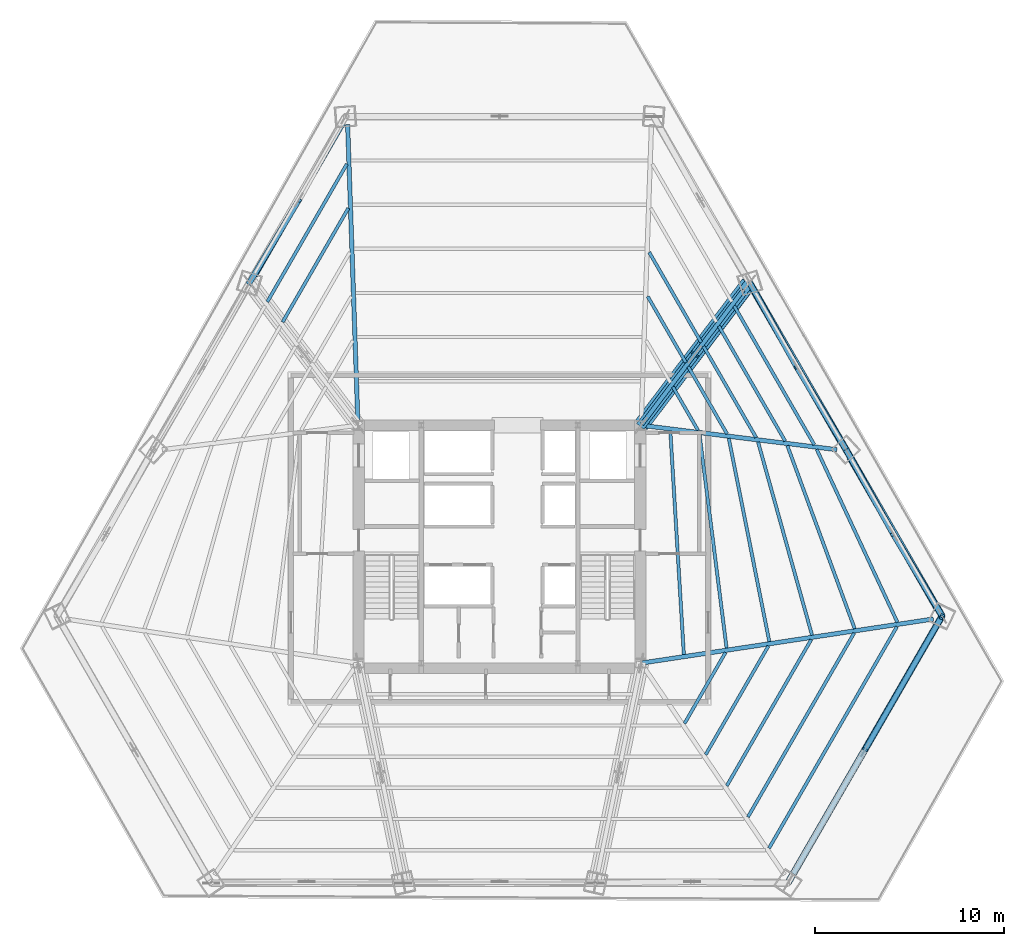
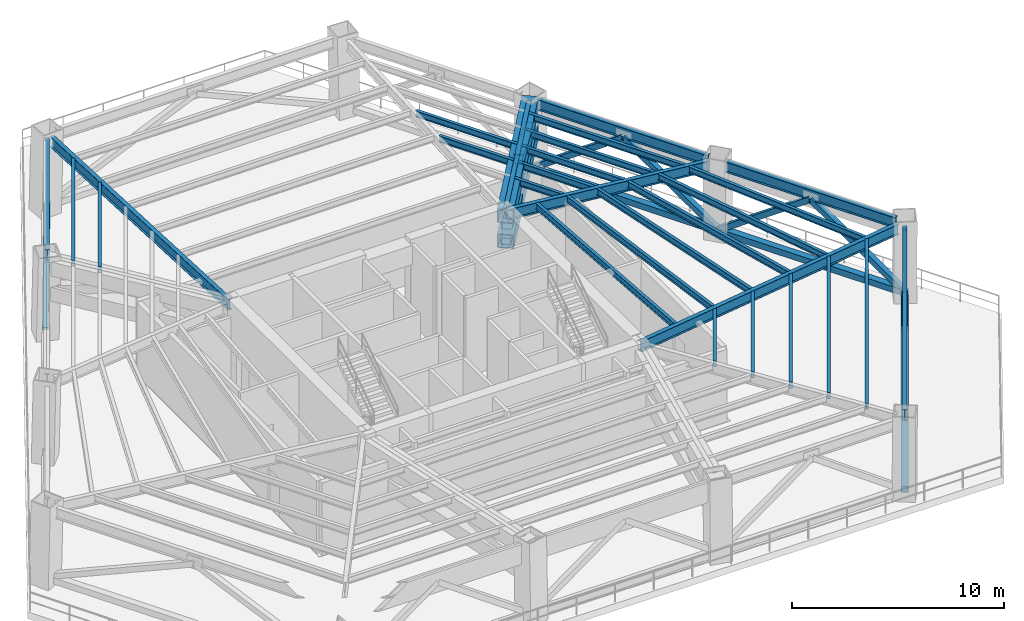
# One storey, part 5 of 13: 28 beams, 14 members.
"""IFC4 building model written with IfcOpenShell, lengths in metres."""

import ifcopenshell
import ifcopenshell.guid

model = None  # the IFC model being written
_history = None  # IfcOwnerHistory: only IFC2X3 demands one
_inside = {}  # id of a spatial element -> (the spatial element, [elements in it])
_under = {}  # id of a project, library or spatial element -> (it, [spatial elements below it])
_declared = {}  # id of a project -> (the project, [libraries it declares])
_typed = {}  # id of a type object -> (the type object, [elements of that type])
_made_of = {}  # id of a material, layer set ... -> (it, [elements and type objects made of it])


def new_model(schema):
    """Start an empty IFC model of exactly this schema.

    Asked for "IFC4X3", IfcOpenShell would pick the latest addendum, in which some entities
    have other attributes; the version numbers below select the first issue.
    IFC2X3 requires an IfcOwnerHistory on every rooted entity: one is made here for all.
    """
    global model, _history
    if schema == "IFC4X3":
        model = ifcopenshell.file(schema_version=(4, 3, 0, 0))
    else:
        model = ifcopenshell.file(schema=schema)
    _inside.clear()
    _under.clear()
    _declared.clear()
    _typed.clear()
    _made_of.clear()
    _history = None
    if model.schema == "IFC2X3":
        org = make("IfcOrganization", Name="unknown")
        user = make(
            "IfcPersonAndOrganization",
            ThePerson=make("IfcPerson", FamilyName="unknown"),
            TheOrganization=org,
        )
        app = make(
            "IfcApplication",
            ApplicationDeveloper=org,
            Version="unknown",
            ApplicationFullName="unknown",
            ApplicationIdentifier="unknown",
        )
        _history = make(
            "IfcOwnerHistory",
            OwningUser=user,
            OwningApplication=app,
            ChangeAction="ADDED",
            CreationDate=0,
        )
    return model


def make(cls, **values):
    """One entity of the class cls with the attributes given. An attribute that is None is left unset."""
    return model.create_entity(
        cls, **{name: value for name, value in values.items() if value is not None}
    )


def rooted(cls, **values):
    """An entity with a GlobalId (a new one), such as an element, a storey or a relation."""
    return make(cls, GlobalId=ifcopenshell.guid.new(), OwnerHistory=_history, **values)


def si_unit(unit_type, name, prefix=None):
    """IfcSIUnit, for example si_unit("LENGTHUNIT", "METRE", prefix="MILLI")."""
    return make("IfcSIUnit", UnitType=unit_type, Prefix=prefix, Name=name)


def assignment(units):
    """IfcUnitAssignment: the units of a project."""
    return None if units is None else make("IfcUnitAssignment", Units=units)


def point(xyz):
    """IfcCartesianPoint."""
    return None if xyz is None else make("IfcCartesianPoint", Coordinates=xyz)


def direction(xyz):
    """IfcDirection."""
    return None if xyz is None else make("IfcDirection", DirectionRatios=xyz)


def frame(location, z_axis=None, x_axis=None):
    """IfcAxis2Placement3D, a coordinate frame: its origin and axes. An axis left out is left unset."""
    return make(
        "IfcAxis2Placement3D",
        Location=point(location),
        Axis=direction(z_axis),
        RefDirection=direction(x_axis),
    )


def frame_2d(location, x_axis=None):
    """IfcAxis2Placement2D, a coordinate frame in the plane: its origin and x axis."""
    return make(
        "IfcAxis2Placement2D", Location=point(location), RefDirection=direction(x_axis)
    )


def origin():
    """The frame at (0, 0, 0) with its axes left unset."""
    return frame((0.0, 0.0, 0.0))


def origin_2d():
    """The frame at (0, 0) in the plane with its x axis left unset."""
    return frame_2d((0.0, 0.0))


def place(relative_to, where):
    """IfcLocalPlacement: puts the frame where relative to a parent placement (None: the world)."""
    return make(
        "IfcLocalPlacement", PlacementRelTo=relative_to, RelativePlacement=where
    )


def context(
    kind, dimensions, precision=None, world=None, true_north=None, identifier=None
):
    """IfcGeometricRepresentationContext, for example the 3D "Model" context."""
    return make(
        "IfcGeometricRepresentationContext",
        ContextIdentifier=identifier,
        ContextType=kind,
        CoordinateSpaceDimension=dimensions,
        Precision=precision,
        WorldCoordinateSystem=world,
        TrueNorth=true_north,
    )


def subcontext(parent, identifier, kind, view, scale=None):
    """IfcGeometricRepresentationSubContext, for example "Body" below "Model"."""
    return make(
        "IfcGeometricRepresentationSubContext",
        ContextIdentifier=identifier,
        ContextType=kind,
        ParentContext=parent,
        TargetScale=scale,
        TargetView=view,
    )


def project(units=None, contexts=None):
    """IfcProject with its units and contexts."""
    return rooted(
        "IfcProject",
        Name="project",
        RepresentationContexts=contexts,
        UnitsInContext=assignment(units),
    )


def spatial(cls, under=None, at=None, **own):
    """A site, building, storey or space (cls), placed at a placement, below another one or the project."""
    s = rooted(cls, ObjectPlacement=at, **own)
    if under is not None:
        _under.setdefault(under.id(), (under, []))[1].append(s)
    return s


def profile(cls, at=None, kind="AREA", **sizes):
    """A parametric profile (cls). Its sizes go by their IFC names, for example OverallWidth=200.0."""
    return make(cls, ProfileType=kind, Position=at, **sizes)


def hollow_rectangle(**sizes):
    """IfcRectangleHollowProfileDef."""
    return profile("IfcRectangleHollowProfileDef", **sizes)


def i_section(**sizes):
    """IfcIShapeProfileDef."""
    return profile("IfcIShapeProfileDef", **sizes)


def extrude(swept, where, along, depth):
    """IfcExtrudedAreaSolid: the profile swept, set in the frame where, extruded along a direction by depth."""
    return make(
        "IfcExtrudedAreaSolid",
        SweptArea=swept,
        Position=where,
        ExtrudedDirection=direction(along),
        Depth=depth,
    )


def shape(context_of_items, identifier, shape_type, items):
    """IfcShapeRepresentation: the items that make up one representation, for example the "Body"."""
    return make(
        "IfcShapeRepresentation",
        ContextOfItems=context_of_items,
        RepresentationIdentifier=identifier,
        RepresentationType=shape_type,
        Items=items,
    )


def source(mapping_origin, context_of_items, identifier, shape_type, items):
    """IfcRepresentationMap: a shape defined once, which mapped items show again and again."""
    return make(
        "IfcRepresentationMap",
        MappingOrigin=mapping_origin,
        MappedRepresentation=shape(context_of_items, identifier, shape_type, items),
    )


def transform(
    local_origin,
    x_axis=None,
    y_axis=None,
    z_axis=None,
    scale=None,
    scale2=None,
    scale3=None,
    uniform=True,
):
    """IfcCartesianTransformationOperator3D, or its non-uniform kind. x_axis, y_axis, z_axis: its Axis1, 2, 3."""
    if uniform:
        return make(
            "IfcCartesianTransformationOperator3D",
            Axis1=direction(x_axis),
            Axis2=direction(y_axis),
            LocalOrigin=point(local_origin),
            Scale=scale,
            Axis3=direction(z_axis),
        )
    return make(
        "IfcCartesianTransformationOperator3DnonUniform",
        Axis1=direction(x_axis),
        Axis2=direction(y_axis),
        LocalOrigin=point(local_origin),
        Scale=scale,
        Axis3=direction(z_axis),
        Scale2=scale2,
        Scale3=scale3,
    )


def mapped(mapping_source, mapping_target):
    """IfcMappedItem: shows the shape of a source again, moved by a transform."""
    return make(
        "IfcMappedItem", MappingSource=mapping_source, MappingTarget=mapping_target
    )


def material(Name=None, Category=None):
    """IfcMaterial."""
    return make("IfcMaterial", Name=Name, Category=Category)


def material_profile(
    of_material, cross_section, Name=None, Category=None, Priority=None
):
    """IfcMaterialProfile: a cross section and its material."""
    return make(
        "IfcMaterialProfile",
        Name=Name,
        Material=of_material,
        Profile=cross_section,
        Priority=Priority,
        Category=Category,
    )


def profile_set(profiles, Name=None, composite=None):
    """IfcMaterialProfileSet."""
    return make(
        "IfcMaterialProfileSet",
        Name=Name,
        MaterialProfiles=profiles,
        CompositeProfile=composite,
    )


def made_of(thing, what):
    """Note that an element or type object is made of a material, layer set ...; save() writes the relation."""
    if what is not None:
        _made_of.setdefault(what.id(), (what, []))[1].append(thing)
    return thing


def type_object(cls, material=None, **own):
    """A type object (cls), such as IfcWallType, which elements share."""
    return made_of(rooted(cls, **own), material)


def type_shapes(of_type, sources):
    """Give a type object the sources (RepresentationMaps) that its elements show as mapped items."""
    of_type.RepresentationMaps = sources


def element(
    cls,
    number,
    at=None,
    inside=None,
    cuts=None,
    type_object=None,
    material=None,
    context=None,
    identifier="Body",
    shape_type=None,
    held_by="IfcProductDefinitionShape",
    body=None,
    shapes=None,
    **own,
):
    """One element of the class cls, such as IfcWall. Its Tag is "e" and its number.

    at: its placement. inside: the storey or other place that contains it. cuts: it is an
    opening in that element (IfcRelVoidsElement). A single representation is given by context,
    identifier, shape_type and body (its items); several are given by shapes. held_by: the class
    of the entity that holds the representations. save() writes the other relations.
    """
    e = rooted(cls, Tag="e%d" % number, ObjectPlacement=at, **own)
    if body is not None:
        shapes = [shape(context, identifier, shape_type, body)]
    if shapes is not None:
        e.Representation = make(held_by, Representations=shapes)
    if inside is not None:
        _inside.setdefault(inside.id(), (inside, []))[1].append(e)
    if cuts is not None:
        rooted(
            "IfcRelVoidsElement", RelatingBuildingElement=cuts, RelatedOpeningElement=e
        )
    if type_object is not None:
        _typed.setdefault(type_object.id(), (type_object, []))[1].append(e)
    return made_of(e, material)


def aggregate(whole, parts):
    """IfcRelAggregates: a whole, such as a stair, and the parts it consists of."""
    return rooted("IfcRelAggregates", RelatingObject=whole, RelatedObjects=parts)


def save(model, path):
    """Write the relations noted so far, then the file.

    IfcRelAggregates (storeys below a building ...), IfcRelContainedInSpatialStructure (elements
    in a storey), IfcRelDefinesByType, IfcRelAssociatesMaterial and IfcRelDeclares: one each for
    every whole, place, type object, material and project.
    """
    for whole, parts in _under.values():
        aggregate(whole, parts)
    for where, things in _inside.values():
        rooted(
            "IfcRelContainedInSpatialStructure",
            RelatedElements=things,
            RelatingStructure=where,
        )
    for kind, things in _typed.values():
        rooted("IfcRelDefinesByType", RelatedObjects=things, RelatingType=kind)
    for what, things in _made_of.values():
        rooted("IfcRelAssociatesMaterial", RelatedObjects=things, RelatingMaterial=what)
    for by, libraries in _declared.values():
        rooted("IfcRelDeclares", RelatingContext=by, RelatedDefinitions=libraries)
    model.write(path)


model = new_model("IFC4")

# Units and contexts
model_context = context("Model", 3, precision=1e-05, world=origin(), true_north=direction((0.0, 1.0)))
body_context = subcontext(model_context, "Body", "Model", "MODEL_VIEW")
ifc_project = project(units=[si_unit("LENGTHUNIT", "METRE"), si_unit("AREAUNIT", "SQUARE_METRE"), si_unit("VOLUMEUNIT", "CUBIC_METRE"), si_unit("PLANEANGLEUNIT", "RADIAN"), si_unit("MASSUNIT", "GRAM", prefix="KILO")], contexts=[model_context])

# Site, building, storey
site_placement = place(None, origin())
site = spatial("IfcSite", under=ifc_project, at=site_placement, CompositionType="ELEMENT")
building_placement = place(site_placement, origin())
building = spatial("IfcBuilding", under=site, at=building_placement, Name="Caelisora Broadcast Tower", CompositionType="ELEMENT")
storey_placement = place(building_placement, frame((0.0, 0.0, 75.050048828125)))
storey = spatial("IfcBuildingStorey", under=building, at=storey_placement, Name="L19", CompositionType="ELEMENT", Elevation=75.050048828125)

# Beams
ifc_material_1 = material(Name="Steel Grade 350 (AS/NZS 3679.1)", Category="steel")
ifc_material_profile_1 = material_profile(ifc_material_1, i_section(OverallWidth=0.172119140625, OverallDepth=0.358642578125, WebThickness=0.008056640625, FlangeThickness=0.012939453125, at=origin_2d()), Name="Steel Grade 350 (AS/NZS 3679.1)")
ifc_profile_set_1 = profile_set([ifc_material_profile_1], Name="Steel Grade 350 (AS/NZS 3679.1)")
beam_type_1 = type_object("IfcBeamType", Name="SB02", PredefinedType="JOIST", material=ifc_profile_set_1)
shared_shape_1 = source(origin(), body_context, "Body", "SweptSolid", [
    extrude(i_section(OverallWidth=0.172119140625, OverallDepth=0.358642578125, WebThickness=0.008056640625, FlangeThickness=0.012939453125, at=origin_2d()), origin(), (0.0, 0.0, 1.0), 10.33642578125),
])
beam_1_placement = place(storey_placement, frame((56.817626953125, 19.221435546875, 4.37060546875), z_axis=(-0.3452926764, 0.938495054662, 0.0), x_axis=(-0.938495054662, -0.3452926764, 0.0)))
element("IfcBeam", 1, at=beam_1_placement, inside=storey, type_object=beam_type_1, Name="L19 beam SB02", PredefinedType="JOIST", context=body_context, shape_type="MappedRepresentation", body=[
    mapped(shared_shape_1, transform((0.0, 0.0, 0.0), scale=1.0)),
])
ifc_material_profile_2 = material_profile(ifc_material_1, i_section(OverallWidth=0.22900390625, OverallDepth=0.611572265625, WebThickness=0.011962890625, FlangeThickness=0.01953125, at=origin_2d()), Name="Steel Grade 350 (AS/NZS 3679.1)")
ifc_profile_set_2 = profile_set([ifc_material_profile_2], Name="Steel Grade 350 (AS/NZS 3679.1)")
beam_type_2 = type_object("IfcBeamType", Name="PG03", PredefinedType="BEAM", material=ifc_profile_set_2)
shared_shape_2 = source(origin(), body_context, "Body", "SweptSolid", [
    extrude(i_section(OverallWidth=0.22900390625, OverallDepth=0.611572265625, WebThickness=0.011962890625, FlangeThickness=0.01953125, at=origin_2d()), origin(), (0.0, 0.0, 1.0), 9.3037109375),
])
beam_2_placement = place(storey_placement, frame((29.70654296875, 45.965576171875, 4.244140625), z_axis=(-0.499994274208, -0.866028709547, 0.0), x_axis=(0.866028709547, -0.499994274208, 0.0)))
element("IfcBeam", 2, at=beam_2_placement, inside=storey, type_object=beam_type_2, Name="L19 beam PG03", PredefinedType="BEAM", context=body_context, shape_type="MappedRepresentation", body=[
    mapped(shared_shape_2, transform((0.0, 0.0, 0.0), scale=1.0)),
])
shared_shape_3 = source(origin(), body_context, "Body", "SweptSolid", [
    extrude(i_section(OverallWidth=0.22900390625, OverallDepth=0.611572265625, WebThickness=0.011962890625, FlangeThickness=0.01953125, at=origin_2d()), origin(), (0.0, 0.0, 1.0), 9.303955078125),
])
beam_3_placement = place(storey_placement, frame((56.057373046875, 29.0537109375, 4.244140625), z_axis=(-0.499982911864, 0.8660352694, 0.0), x_axis=(-0.8660352694, -0.499982911864, 0.0)))
element("IfcBeam", 3, at=beam_3_placement, inside=storey, type_object=beam_type_2, Name="L19 beam PG03", PredefinedType="BEAM", context=body_context, shape_type="MappedRepresentation", body=[
    mapped(shared_shape_3, transform((0.0, 0.0, 0.0), scale=1.0)),
])
shared_shape_4 = source(origin(), body_context, "Body", "SweptSolid", [
    extrude(i_section(OverallWidth=0.22900390625, OverallDepth=0.611572265625, WebThickness=0.011962890625, FlangeThickness=0.01953125, at=origin_2d()), origin(), (0.0, 0.0, 1.0), 9.30419921875),
])
beam_4_placement = place(storey_placement, frame((61.16943359375, 20.199462890625, 4.244140625), z_axis=(-0.500002592159, 0.866023907196, 0.0), x_axis=(-0.866023907196, -0.500002592159, 0.0)))
element("IfcBeam", 4, at=beam_4_placement, inside=storey, type_object=beam_type_2, Name="L19 beam PG03", PredefinedType="BEAM", context=body_context, shape_type="MappedRepresentation", body=[
    mapped(shared_shape_4, transform((0.0, 0.0, 0.0), scale=1.0)),
])
shared_shape_5 = source(origin(), body_context, "Body", "SweptSolid", [
    extrude(i_section(OverallWidth=0.22900390625, OverallDepth=0.611572265625, WebThickness=0.011962890625, FlangeThickness=0.01953125, at=origin_2d()), origin(), (0.0, 0.0, 1.0), 15.20654296875),
])
type_shapes(beam_type_2, [shared_shape_2, shared_shape_3, shared_shape_4, shared_shape_5])
beam_5_placement = place(storey_placement, frame((53.566162109375, 6.2333984375, 4.244140625), z_axis=(0.50000179571, 0.866024367029, 0.0), x_axis=(-0.866024367029, 0.50000179571, 0.0)))
element("IfcBeam", 5, at=beam_5_placement, inside=storey, type_object=beam_type_2, Name="L19 beam PG03", PredefinedType="BEAM", context=body_context, shape_type="MappedRepresentation", body=[
    mapped(shared_shape_5, transform((0.0, 0.0, 0.0), scale=1.0)),
])
ifc_material_profile_3 = material_profile(ifc_material_1, i_section(OverallWidth=0.22802734375, OverallDepth=0.602294921875, WebThickness=0.010498046875, FlangeThickness=0.014892578125, at=origin_2d()), Name="Steel Grade 350 (AS/NZS 3679.1)")
ifc_profile_set_3 = profile_set([ifc_material_profile_3], Name="Steel Grade 350 (AS/NZS 3679.1)")
beam_type_3 = type_object("IfcBeamType", Name="PG04", PredefinedType="BEAM", material=ifc_profile_set_3)
shared_shape_6 = source(origin(), body_context, "Body", "SweptSolid", [
    extrude(i_section(OverallWidth=0.22802734375, OverallDepth=0.602294921875, WebThickness=0.010498046875, FlangeThickness=0.014892578125, at=origin_2d()), origin(), (0.0, 0.0, 1.0), 15.8935546875),
])
beam_6_placement = place(storey_placement, frame((30.497802734375, 30.06005859375, 4.248779296875), z_axis=(-0.034393497447, 0.999408368653, 0.0), x_axis=(-0.999408368653, -0.034393497447, 0.0)))
element("IfcBeam", 6, at=beam_6_placement, inside=storey, type_object=beam_type_3, Name="L19 beam PG04", PredefinedType="BEAM", context=body_context, shape_type="MappedRepresentation", body=[
    mapped(shared_shape_6, transform((0.0, 0.0, 0.0), scale=1.0)),
])
shared_shape_7 = source(origin(), body_context, "Body", "SweptSolid", [
    extrude(i_section(OverallWidth=0.22802734375, OverallDepth=0.602294921875, WebThickness=0.010498046875, FlangeThickness=0.014892578125, at=origin_2d()), origin(), (0.0, 0.0, 1.0), 8.93310546875),
])
beam_7_placement = place(storey_placement, frame((45.5361328125, 30.0478515625, 4.248779296875), z_axis=(0.602930127759, 0.797793996619, 0.0), x_axis=(-0.797793996619, 0.602930127759, 0.0)))
element("IfcBeam", 7, at=beam_7_placement, inside=storey, type_object=beam_type_3, Name="L19 beam PG04", PredefinedType="BEAM", context=body_context, shape_type="MappedRepresentation", body=[
    mapped(shared_shape_7, transform((0.0, 0.0, 0.0), scale=1.0)),
])
shared_shape_8 = source(origin(), body_context, "Body", "SweptSolid", [
    extrude(i_section(OverallWidth=0.22802734375, OverallDepth=0.602294921875, WebThickness=0.010498046875, FlangeThickness=0.014892578125, at=origin_2d()), origin(), (0.0, 0.0, 1.0), 10.390869140625),
])
beam_8_placement = place(storey_placement, frame((45.5595703125, 29.99267578125, 4.248779296875), z_axis=(0.992319029863, -0.123705064456, 0.0), x_axis=(0.123705064456, 0.992319029863, 0.0)))
element("IfcBeam", 8, at=beam_8_placement, inside=storey, type_object=beam_type_3, Name="L19 beam PG04", PredefinedType="BEAM", context=body_context, shape_type="MappedRepresentation", body=[
    mapped(shared_shape_8, transform((0.0, 0.0, 0.0), scale=1.0)),
])
shared_shape_9 = source(origin(), body_context, "Body", "SweptSolid", [
    extrude(i_section(OverallWidth=0.22802734375, OverallDepth=0.602294921875, WebThickness=0.010498046875, FlangeThickness=0.014892578125, at=origin_2d()), origin(), (0.0, 0.0, 1.0), 15.599609375),
])
type_shapes(beam_type_3, [shared_shape_6, shared_shape_7, shared_shape_8, shared_shape_9])
beam_9_placement = place(storey_placement, frame((45.559326171875, 17.408935546875, 4.248779296875), z_axis=(0.988788930466, 0.149319961785, 0.0), x_axis=(-0.149319961785, 0.988788930466, 0.0)))
element("IfcBeam", 9, at=beam_9_placement, inside=storey, type_object=beam_type_3, Name="L19 beam PG04", PredefinedType="BEAM", context=body_context, shape_type="MappedRepresentation", body=[
    mapped(shared_shape_9, transform((0.0, 0.0, 0.0), scale=1.0)),
])
shared_shape_10 = source(origin(), body_context, "Body", "SweptSolid", [
    extrude(i_section(OverallWidth=0.172119140625, OverallDepth=0.358642578125, WebThickness=0.008056640625, FlangeThickness=0.012939453125, at=origin_2d()), origin(), (0.0, 0.0, 1.0), 4.048583984375),
])
beam_10_placement = place(storey_placement, frame((47.871826171875, 33.322998046875, 4.37060546875), z_axis=(-0.499959089475, 0.866049022198, 0.0), x_axis=(-0.866049022198, -0.499959089475, 0.0)))
element("IfcBeam", 10, at=beam_10_placement, inside=storey, type_object=beam_type_1, Name="L19 beam SB02", PredefinedType="JOIST", context=body_context, shape_type="MappedRepresentation", body=[
    mapped(shared_shape_10, transform((0.0, 0.0, 0.0), scale=1.0)),
])
shared_shape_11 = source(origin(), body_context, "Body", "SweptSolid", [
    extrude(i_section(OverallWidth=0.172119140625, OverallDepth=0.358642578125, WebThickness=0.008056640625, FlangeThickness=0.012939453125, at=origin_2d()), origin(), (0.0, 0.0, 1.0), 5.509033203125),
])
beam_11_placement = place(storey_placement, frame((48.6826171875, 34.39599609375, 4.37060546875), z_axis=(-0.500013993928, 0.866017324235, 0.0), x_axis=(-0.866017324235, -0.500013993928, 0.0)))
element("IfcBeam", 11, at=beam_11_placement, inside=storey, type_object=beam_type_1, Name="L19 beam SB02", PredefinedType="JOIST", context=body_context, shape_type="MappedRepresentation", body=[
    mapped(shared_shape_11, transform((0.0, 0.0, 0.0), scale=1.0)),
])
shared_shape_12 = source(origin(), body_context, "Body", "SweptSolid", [
    extrude(i_section(OverallWidth=0.172119140625, OverallDepth=0.358642578125, WebThickness=0.008056640625, FlangeThickness=0.012939453125, at=origin_2d()), origin(), (0.0, 0.0, 1.0), 6.9697265625),
])
beam_12_placement = place(storey_placement, frame((29.991455078125, 41.504638671875, 4.37060546875), z_axis=(-0.500004447669, -0.866022835906, 0.0), x_axis=(0.866022835906, -0.500004447669, 0.0)))
element("IfcBeam", 12, at=beam_12_placement, inside=storey, type_object=beam_type_1, Name="L19 beam SB02", PredefinedType="JOIST", context=body_context, shape_type="MappedRepresentation", body=[
    mapped(shared_shape_12, transform((0.0, 0.0, 0.0), scale=1.0)),
])
shared_shape_13 = source(origin(), body_context, "Body", "SweptSolid", [
    extrude(i_section(OverallWidth=0.172119140625, OverallDepth=0.358642578125, WebThickness=0.008056640625, FlangeThickness=0.012939453125, at=origin_2d()), origin(), (0.0, 0.0, 1.0), 8.43017578125),
])
beam_13_placement = place(storey_placement, frame((29.910888671875, 43.84228515625, 4.37060546875), z_axis=(-0.499998209175, -0.866026437715, 0.0), x_axis=(0.866026437715, -0.499998209175, 0.0)))
element("IfcBeam", 13, at=beam_13_placement, inside=storey, type_object=beam_type_1, Name="L19 beam SB02", PredefinedType="JOIST", context=body_context, shape_type="MappedRepresentation", body=[
    mapped(shared_shape_13, transform((0.0, 0.0, 0.0), scale=1.0)),
])
shared_shape_14 = source(origin(), body_context, "Body", "SweptSolid", [
    extrude(i_section(OverallWidth=0.172119140625, OverallDepth=0.358642578125, WebThickness=0.008056640625, FlangeThickness=0.012939453125, at=origin_2d()), origin(), (0.0, 0.0, 1.0), 2.660400390625),
])
beam_14_placement = place(storey_placement, frame((48.51220703125, 29.737060546875, 4.37060546875), z_axis=(-0.500037544306, 0.866003726484, 0.0), x_axis=(-0.866003726484, -0.500037544306, 0.0)))
element("IfcBeam", 14, at=beam_14_placement, inside=storey, type_object=beam_type_1, Name="L19 beam SB02", PredefinedType="JOIST", context=body_context, shape_type="MappedRepresentation", body=[
    mapped(shared_shape_14, transform((0.0, 0.0, 0.0), scale=1.0)),
])
shared_shape_15 = source(origin(), body_context, "Body", "SweptSolid", [
    extrude(i_section(OverallWidth=0.172119140625, OverallDepth=0.358642578125, WebThickness=0.008056640625, FlangeThickness=0.012939453125, at=origin_2d()), origin(), (0.0, 0.0, 1.0), 4.12109375),
])
beam_15_placement = place(storey_placement, frame((50.05322265625, 29.544921875, 4.37060546875), z_axis=(-0.500013052638, 0.866017867709, 0.0), x_axis=(-0.866017867709, -0.500013052638, 0.0)))
element("IfcBeam", 15, at=beam_15_placement, inside=storey, type_object=beam_type_1, Name="L19 beam SB02", PredefinedType="JOIST", context=body_context, shape_type="MappedRepresentation", body=[
    mapped(shared_shape_15, transform((0.0, 0.0, 0.0), scale=1.0)),
])
shared_shape_16 = source(origin(), body_context, "Body", "SweptSolid", [
    extrude(i_section(OverallWidth=0.172119140625, OverallDepth=0.358642578125, WebThickness=0.008056640625, FlangeThickness=0.012939453125, at=origin_2d()), origin(), (0.0, 0.0, 1.0), 5.58154296875),
])
beam_16_placement = place(storey_placement, frame((51.59423828125, 29.352783203125, 4.37060546875), z_axis=(-0.500001378502, 0.866024607905, 0.0), x_axis=(-0.866024607905, -0.500001378502, 0.0)))
element("IfcBeam", 16, at=beam_16_placement, inside=storey, type_object=beam_type_1, Name="L19 beam SB02", PredefinedType="JOIST", context=body_context, shape_type="MappedRepresentation", body=[
    mapped(shared_shape_16, transform((0.0, 0.0, 0.0), scale=1.0)),
])
shared_shape_17 = source(origin(), body_context, "Body", "SweptSolid", [
    extrude(i_section(OverallWidth=0.172119140625, OverallDepth=0.358642578125, WebThickness=0.008056640625, FlangeThickness=0.012939453125, at=origin_2d()), origin(), (0.0, 0.0, 1.0), 7.042236328125),
])
beam_17_placement = place(storey_placement, frame((53.13525390625, 29.16064453125, 4.37060546875), z_axis=(-0.49997953523, 0.866037218803, 0.0), x_axis=(-0.866037218803, -0.49997953523, 0.0)))
element("IfcBeam", 17, at=beam_17_placement, inside=storey, type_object=beam_type_1, Name="L19 beam SB02", PredefinedType="JOIST", context=body_context, shape_type="MappedRepresentation", body=[
    mapped(shared_shape_17, transform((0.0, 0.0, 0.0), scale=1.0)),
])
shared_shape_18 = source(origin(), body_context, "Body", "SweptSolid", [
    extrude(i_section(OverallWidth=0.172119140625, OverallDepth=0.358642578125, WebThickness=0.008056640625, FlangeThickness=0.012939453125, at=origin_2d()), origin(), (0.0, 0.0, 1.0), 8.5029296875),
])
beam_18_placement = place(storey_placement, frame((54.676513671875, 28.968505859375, 4.37060546875), z_axis=(-0.499999164051, 0.866025886419, 0.0), x_axis=(-0.866025886419, -0.499999164051, 0.0)))
element("IfcBeam", 18, at=beam_18_placement, inside=storey, type_object=beam_type_1, Name="L19 beam SB02", PredefinedType="JOIST", context=body_context, shape_type="MappedRepresentation", body=[
    mapped(shared_shape_18, transform((0.0, 0.0, 0.0), scale=1.0)),
])
shared_shape_19 = source(origin(), body_context, "Body", "SweptSolid", [
    extrude(i_section(OverallWidth=0.172119140625, OverallDepth=0.358642578125, WebThickness=0.008056640625, FlangeThickness=0.012939453125, at=origin_2d()), origin(), (0.0, 0.0, 1.0), 11.862548828125),
])
beam_19_placement = place(storey_placement, frame((47.7646484375, 17.854248046875, 4.37060546875), z_axis=(-0.060425465621, 0.998172712062, 0.0), x_axis=(-0.998172712062, -0.060425465621, 0.0)))
element("IfcBeam", 19, at=beam_19_placement, inside=storey, type_object=beam_type_1, Name="L19 beam SB02", PredefinedType="JOIST", context=body_context, shape_type="MappedRepresentation", body=[
    mapped(shared_shape_19, transform((0.0, 0.0, 0.0), scale=1.0)),
])
shared_shape_20 = source(origin(), body_context, "Body", "SweptSolid", [
    extrude(i_section(OverallWidth=0.172119140625, OverallDepth=0.358642578125, WebThickness=0.008056640625, FlangeThickness=0.012939453125, at=origin_2d()), origin(), (0.0, 0.0, 1.0), 11.396240234375),
])
beam_20_placement = place(storey_placement, frame((50.02880859375, 18.196044921875, 4.37060546875), z_axis=(-0.125687745787, 0.992069851653, 0.0), x_axis=(-0.992069851653, -0.125687745787, 0.0)))
element("IfcBeam", 20, at=beam_20_placement, inside=storey, type_object=beam_type_1, Name="L19 beam SB02", PredefinedType="JOIST", context=body_context, shape_type="MappedRepresentation", body=[
    mapped(shared_shape_20, transform((0.0, 0.0, 0.0), scale=1.0)),
])
shared_shape_21 = source(origin(), body_context, "Body", "SweptSolid", [
    extrude(i_section(OverallWidth=0.172119140625, OverallDepth=0.358642578125, WebThickness=0.008056640625, FlangeThickness=0.012939453125, at=origin_2d()), origin(), (0.0, 0.0, 1.0), 10.982421875),
])
beam_21_placement = place(storey_placement, frame((52.292236328125, 18.5380859375, 4.37060546875), z_axis=(-0.195423537617, 0.980718940852, 0.0), x_axis=(-0.980718940852, -0.195423537617, 0.0)))
element("IfcBeam", 21, at=beam_21_placement, inside=storey, type_object=beam_type_1, Name="L19 beam SB02", PredefinedType="JOIST", context=body_context, shape_type="MappedRepresentation", body=[
    mapped(shared_shape_21, transform((0.0, 0.0, 0.0), scale=1.0)),
])
shared_shape_22 = source(origin(), body_context, "Body", "SweptSolid", [
    extrude(i_section(OverallWidth=0.172119140625, OverallDepth=0.358642578125, WebThickness=0.008056640625, FlangeThickness=0.012939453125, at=origin_2d()), origin(), (0.0, 0.0, 1.0), 10.627197265625),
])
beam_22_placement = place(storey_placement, frame((54.555419921875, 18.8798828125, 4.37060546875), z_axis=(-0.268990780639, 0.963142751585, 0.0), x_axis=(-0.963142751585, -0.268990780639, 0.0)))
element("IfcBeam", 22, at=beam_22_placement, inside=storey, type_object=beam_type_1, Name="L19 beam SB02", PredefinedType="JOIST", context=body_context, shape_type="MappedRepresentation", body=[
    mapped(shared_shape_22, transform((0.0, 0.0, 0.0), scale=1.0)),
])
shared_shape_23 = source(origin(), body_context, "Body", "SweptSolid", [
    extrude(i_section(OverallWidth=0.172119140625, OverallDepth=0.358642578125, WebThickness=0.008056640625, FlangeThickness=0.012939453125, at=origin_2d()), origin(), (0.0, 0.0, 1.0), 10.1142578125),
])
beam_23_placement = place(storey_placement, frame((59.0791015625, 19.56298828125, 4.37060546875), z_axis=(-0.422882822425, 0.906184373347, 0.0), x_axis=(-0.906184373347, -0.422882822425, 0.0)))
element("IfcBeam", 23, at=beam_23_placement, inside=storey, type_object=beam_type_1, Name="L19 beam SB02", PredefinedType="JOIST", context=body_context, shape_type="MappedRepresentation", body=[
    mapped(shared_shape_23, transform((0.0, 0.0, 0.0), scale=1.0)),
])
shared_shape_24 = source(origin(), body_context, "Body", "SweptSolid", [
    extrude(i_section(OverallWidth=0.172119140625, OverallDepth=0.358642578125, WebThickness=0.008056640625, FlangeThickness=0.012939453125, at=origin_2d()), origin(), (0.0, 0.0, 1.0), 4.341064453125),
])
beam_24_placement = place(storey_placement, frame((47.80078125, 14.202880859375, 4.37060546875), z_axis=(0.499973983331, 0.866040423994, 0.0), x_axis=(-0.866040423994, 0.499973983331, 0.0)))
element("IfcBeam", 24, at=beam_24_placement, inside=storey, type_object=beam_type_1, Name="L19 beam SB02", PredefinedType="JOIST", context=body_context, shape_type="MappedRepresentation", body=[
    mapped(shared_shape_24, transform((0.0, 0.0, 0.0), scale=1.0)),
])
shared_shape_25 = source(origin(), body_context, "Body", "SweptSolid", [
    extrude(i_section(OverallWidth=0.172119140625, OverallDepth=0.358642578125, WebThickness=0.008056640625, FlangeThickness=0.012939453125, at=origin_2d()), origin(), (0.0, 0.0, 1.0), 6.64501953125),
])
beam_25_placement = place(storey_placement, frame((48.920166015625, 12.55078125, 4.37060546875), z_axis=(0.500007627538, 0.866020999978, 0.0), x_axis=(-0.866020999978, 0.500007627538, 0.0)))
element("IfcBeam", 25, at=beam_25_placement, inside=storey, type_object=beam_type_1, Name="L19 beam SB02", PredefinedType="JOIST", context=body_context, shape_type="MappedRepresentation", body=[
    mapped(shared_shape_25, transform((0.0, 0.0, 0.0), scale=1.0)),
])
shared_shape_26 = source(origin(), body_context, "Body", "SweptSolid", [
    extrude(i_section(OverallWidth=0.172119140625, OverallDepth=0.358642578125, WebThickness=0.008056640625, FlangeThickness=0.012939453125, at=origin_2d()), origin(), (0.0, 0.0, 1.0), 8.948974609375),
])
beam_26_placement = place(storey_placement, frame((50.03955078125, 10.8984375, 4.37060546875), z_axis=(0.499991673361, 0.866030211118, 0.0), x_axis=(-0.866030211118, 0.499991673361, 0.0)))
element("IfcBeam", 26, at=beam_26_placement, inside=storey, type_object=beam_type_1, Name="L19 beam SB02", PredefinedType="JOIST", context=body_context, shape_type="MappedRepresentation", body=[
    mapped(shared_shape_26, transform((0.0, 0.0, 0.0), scale=1.0)),
])
shared_shape_27 = source(origin(), body_context, "Body", "SweptSolid", [
    extrude(i_section(OverallWidth=0.172119140625, OverallDepth=0.358642578125, WebThickness=0.008056640625, FlangeThickness=0.012939453125, at=origin_2d()), origin(), (0.0, 0.0, 1.0), 11.252685546875),
])
beam_27_placement = place(storey_placement, frame((51.1591796875, 9.246337890625, 4.37060546875), z_axis=(0.499991646705, 0.866030226508, 0.0), x_axis=(-0.866030226508, 0.499991646705, 0.0)))
element("IfcBeam", 27, at=beam_27_placement, inside=storey, type_object=beam_type_1, Name="L19 beam SB02", PredefinedType="JOIST", context=body_context, shape_type="MappedRepresentation", body=[
    mapped(shared_shape_27, transform((0.0, 0.0, 0.0), scale=1.0)),
])
shared_shape_28 = source(origin(), body_context, "Body", "SweptSolid", [
    extrude(i_section(OverallWidth=0.172119140625, OverallDepth=0.358642578125, WebThickness=0.008056640625, FlangeThickness=0.012939453125, at=origin_2d()), origin(), (0.0, 0.0, 1.0), 13.556396484375),
])
type_shapes(beam_type_1, [shared_shape_1, shared_shape_10, shared_shape_11, shared_shape_12, shared_shape_13, shared_shape_14, shared_shape_15, shared_shape_16, shared_shape_17, shared_shape_18, shared_shape_19, shared_shape_20, shared_shape_21, shared_shape_22, shared_shape_23, shared_shape_24, shared_shape_25, shared_shape_26, shared_shape_27, shared_shape_28])
beam_28_placement = place(storey_placement, frame((52.278564453125, 7.59423828125, 4.37060546875), z_axis=(0.499991629109, 0.866030236667, 0.0), x_axis=(-0.866030236667, 0.499991629109, 0.0)))
element("IfcBeam", 28, at=beam_28_placement, inside=storey, type_object=beam_type_1, Name="L19 beam SB02", PredefinedType="JOIST", context=body_context, shape_type="MappedRepresentation", body=[
    mapped(shared_shape_28, transform((0.0, 0.0, 0.0), scale=1.0)),
])

# Members
ifc_material_2 = material(Name="Steel Grade 350 L15 (AS/NZS 3678)", Category="steel")
ifc_material_profile_4 = material_profile(ifc_material_2, hollow_rectangle(XDim=0.800048828125, YDim=0.800048828125, WallThickness=0.044921875, at=origin_2d()), Name="Steel Grade 350 L15 (AS/NZS 3678)")
ifc_profile_set_4 = profile_set([ifc_material_profile_4], Name="Steel Grade 350 L15 (AS/NZS 3678)")
member_type_1 = type_object("IfcMemberType", Name="OR01", PredefinedType="CHORD", material=ifc_profile_set_4)
shared_shape_29 = source(origin(), body_context, "Body", "SweptSolid", [
    extrude(hollow_rectangle(XDim=0.800048828125, YDim=0.800048828125, WallThickness=0.044921875, at=origin_2d()), origin(), (0.0, 0.0, 1.0), 9.447998046875),
])
member_1_placement = place(storey_placement, frame((45.5, 30.0, 2.679931640625), z_axis=(0.605048542536, 0.796188583926, 0.0), x_axis=(-0.796188583926, 0.605048542536, 0.0)))
element("IfcMember", 29, at=member_1_placement, inside=storey, type_object=member_type_1, Name="L19 outrigger chord OR01", PredefinedType="CHORD", context=body_context, shape_type="MappedRepresentation", body=[
    mapped(shared_shape_29, transform((0.0, 0.0, 0.0), scale=1.0)),
])
shared_shape_30 = source(origin(), body_context, "Body", "SweptSolid", [
    extrude(hollow_rectangle(XDim=0.800048828125, YDim=0.800048828125, WallThickness=0.044921875, at=origin_2d()), origin(), (0.0, 0.0, 1.0), 9.424072265625),
])
type_shapes(member_type_1, [shared_shape_29, shared_shape_30])
member_2_placement = place(storey_placement, frame((45.5, 30.0, 4.1298828125), z_axis=(0.603608272257, 0.797281038068, 0.0), x_axis=(-0.797281038068, 0.603608272257, 0.0)))
element("IfcMember", 30, at=member_2_placement, inside=storey, type_object=member_type_1, Name="L19 outrigger chord OR01", PredefinedType="CHORD", context=body_context, shape_type="MappedRepresentation", body=[
    mapped(shared_shape_30, transform((0.0, 0.0, 0.0), scale=1.0)),
])
ifc_material_3 = material(Name="Steel Grade 450 L15 (AS/NZS 3678)", Category="steel")
ifc_material_profile_5 = material_profile(ifc_material_3, hollow_rectangle(XDim=0.5, YDim=0.5, WallThickness=0.02001953125, at=origin_2d()), Name="Steel Grade 450 L15 (AS/NZS 3678)")
ifc_profile_set_5 = profile_set([ifc_material_profile_5], Name="Steel Grade 450 L15 (AS/NZS 3678)")
member_type_2 = type_object("IfcMemberType", Name="OR02", PredefinedType="STRUT", material=ifc_profile_set_5)
shared_shape_31 = source(origin(), body_context, "Body", "SweptSolid", [
    extrude(hollow_rectangle(XDim=0.5, YDim=0.5, WallThickness=0.02001953125, at=origin_2d()), origin(), (0.0, 0.0, 1.0), 4.93017578125),
])
member_3_placement = place(storey_placement, frame((45.5, 30.0, 2.679931640625), z_axis=(0.576913135303, 0.762020543008, 0.294101897902), x_axis=(-0.797281038068, 0.603608272257, 0.0)))
element("IfcMember", 31, at=member_3_placement, inside=storey, type_object=member_type_2, Name="L19 outrigger diagonal OR02", PredefinedType="STRUT", context=body_context, shape_type="MappedRepresentation", body=[
    mapped(shared_shape_31, transform((0.0, 0.0, 0.0), scale=1.0)),
])
shared_shape_32 = source(origin(), body_context, "Body", "SweptSolid", [
    extrude(hollow_rectangle(XDim=0.5, YDim=0.5, WallThickness=0.02001953125, at=origin_2d()), origin(), (0.0, 0.0, 1.0), 4.953125),
])
type_shapes(member_type_2, [shared_shape_31, shared_shape_32])
member_4_placement = place(storey_placement, frame((48.34423828125, 33.7568359375, 4.1298828125), z_axis=(0.579910875719, 0.760267347819, -0.292740390216), x_axis=(-0.795099080313, 0.606479556527, 0.0)))
element("IfcMember", 32, at=member_4_placement, inside=storey, type_object=member_type_2, Name="L19 outrigger diagonal OR02", PredefinedType="STRUT", context=body_context, shape_type="MappedRepresentation", body=[
    mapped(shared_shape_32, transform((0.0, 0.0, 0.0), scale=1.0)),
])
ifc_material_4 = material(Name="Steel Grade 350 (AS/NZS 1163 C350L0)", Category="steel")
ifc_material_profile_6 = material_profile(ifc_material_4, hollow_rectangle(XDim=0.35009765625, YDim=0.35009765625, WallThickness=0.01611328125, at=origin_2d()), Name="Steel Grade 350 (AS/NZS 1163 C350L0)")
ifc_profile_set_6 = profile_set([ifc_material_profile_6], Name="Steel Grade 350 (AS/NZS 1163 C350L0)")
member_type_3 = type_object("IfcMemberType", Name="OR05", PredefinedType="CHORD", material=ifc_profile_set_6)
shared_shape_33 = source(origin(), body_context, "Body", "SweptSolid", [
    extrude(hollow_rectangle(XDim=0.35009765625, YDim=0.35009765625, WallThickness=0.01611328125, at=origin_2d()), origin(), (0.0, 0.0, 1.0), 16.33935546875),
])
member_5_placement = place(storey_placement, frame((53.276123046875, 5.746826171875, 0.349853515625), z_axis=(0.499997516645, 0.866026837545, 0.0), x_axis=(-0.866026837545, 0.499997516645, 0.0)))
element("IfcMember", 33, at=member_5_placement, inside=storey, type_object=member_type_3, Name="L19 belt chord OR05", PredefinedType="CHORD", context=body_context, shape_type="MappedRepresentation", body=[
    mapped(shared_shape_33, transform((0.0, 0.0, 0.0), scale=1.0)),
])
ifc_material_profile_7 = material_profile(ifc_material_4, hollow_rectangle(XDim=0.300048828125, YDim=0.300048828125, WallThickness=0.012451171875, at=origin_2d()), Name="Steel Grade 350 (AS/NZS 1163 C350L0)")
ifc_profile_set_7 = profile_set([ifc_material_profile_7], Name="Steel Grade 350 (AS/NZS 1163 C350L0)")
member_type_4 = type_object("IfcMemberType", Name="OR06", PredefinedType="STRUT", material=ifc_profile_set_7)
shared_shape_34 = source(origin(), body_context, "Body", "SweptSolid", [
    extrude(hollow_rectangle(XDim=0.300048828125, YDim=0.300048828125, WallThickness=0.012451171875, at=origin_2d()), origin(), (0.0, 0.0, 1.0), 6.2216796875),
])
member_6_placement = place(storey_placement, frame((61.44580078125, 19.897216796875, 0.349853515625), z_axis=(-0.416583193499, 0.698491036575, 0.581866578108), x_axis=(-0.858852276054, -0.512223357449, 0.0)))
element("IfcMember", 34, at=member_6_placement, inside=storey, type_object=member_type_4, Name="L19 belt diagonal OR06", PredefinedType="STRUT", context=body_context, shape_type="MappedRepresentation", body=[
    mapped(shared_shape_34, transform((0.0, 0.0, 0.0), scale=1.0)),
])
shared_shape_35 = source(origin(), body_context, "Body", "SweptSolid", [
    extrude(hollow_rectangle(XDim=0.300048828125, YDim=0.300048828125, WallThickness=0.012451171875, at=origin_2d()), origin(), (0.0, 0.0, 1.0), 6.274658203125),
])
for number, where, z_axis, x_axis, name in (
    (35, (24.73828125, 37.536376953125, 0.349853515625), (0.418225723085, 0.701595147331, 0.576932832998), (-0.858964702186, 0.512034803893, 0.0), "L19 belt diagonal OR06"),
    (36, (56.353759765625, 28.716796875, 0.349853515625), (0.398463399791, -0.713000859405, 0.576937339332), (0.872932145946, 0.487841642927, 0.0), "L19 belt diagonal OR06"),
):
    element("IfcMember", number, at=place(storey_placement, frame(where, z_axis=z_axis, x_axis=x_axis)), inside=storey, type_object=member_type_4, Name=name, PredefinedType="STRUT", context=body_context, shape_type="MappedRepresentation", body=[
        mapped(shared_shape_35, transform((0.0, 0.0, 0.0), scale=1.0)),
    ])
shared_shape_36 = source(origin(), body_context, "Body", "SweptSolid", [
    extrude(hollow_rectangle(XDim=0.35009765625, YDim=0.35009765625, WallThickness=0.01611328125, at=origin_2d()), origin(), (0.0, 0.0, 1.0), 10.18408203125),
])
type_shapes(member_type_3, [shared_shape_33, shared_shape_36])
for number, where, z_axis, x_axis, name in (
    (37, (61.44580078125, 19.897216796875, 0.349853515625), (-0.500003982961, 0.866023104208, 0.0), (-0.866023104208, -0.500003982961, 0.0), "L19 belt chord OR05"),
    (38, (56.353759765625, 28.716796875, 0.349853515625), (-0.500003982961, 0.866023104208, 0.0), (-0.866023104208, -0.500003982961, 0.0), "L19 belt chord OR05"),
):
    element("IfcMember", number, at=place(storey_placement, frame(where, z_axis=z_axis, x_axis=x_axis)), inside=storey, type_object=member_type_3, Name=name, PredefinedType="CHORD", context=body_context, shape_type="MappedRepresentation", body=[
        mapped(shared_shape_36, transform((0.0, 0.0, 0.0), scale=1.0)),
    ])
shared_shape_37 = source(origin(), body_context, "Body", "SweptSolid", [
    extrude(hollow_rectangle(XDim=0.300048828125, YDim=0.300048828125, WallThickness=0.012451171875, at=origin_2d()), origin(), (0.0, 0.0, 1.0), 6.248046875),
])
member_7_placement = place(storey_placement, frame((51.26171875, 37.536376953125, 0.349853515625), z_axis=(0.397546995273, -0.711512997535, 0.579401105357), x_axis=(0.872976505467, 0.487762258588, 0.0)))
element("IfcMember", 39, at=member_7_placement, inside=storey, type_object=member_type_4, Name="L19 belt diagonal OR06", PredefinedType="STRUT", context=body_context, shape_type="MappedRepresentation", body=[
    mapped(shared_shape_37, transform((0.0, 0.0, 0.0), scale=1.0)),
])
shared_shape_38 = source(origin(), body_context, "Body", "SweptSolid", [
    extrude(hollow_rectangle(XDim=0.300048828125, YDim=0.300048828125, WallThickness=0.012451171875, at=origin_2d()), origin(), (0.0, 0.0, 1.0), 6.248291015625),
])
member_8_placement = place(storey_placement, frame((56.353759765625, 28.716796875, 0.349853515625), z_axis=(-0.417426001407, 0.700047200338, 0.579387133658), x_axis=(-0.858898310605, -0.51214616277, 0.0)))
element("IfcMember", 40, at=member_8_placement, inside=storey, type_object=member_type_4, Name="L19 belt diagonal OR06", PredefinedType="STRUT", context=body_context, shape_type="MappedRepresentation", body=[
    mapped(shared_shape_38, transform((0.0, 0.0, 0.0), scale=1.0)),
])
shared_shape_39 = source(origin(), body_context, "Body", "SweptSolid", [
    extrude(hollow_rectangle(XDim=0.300048828125, YDim=0.300048828125, WallThickness=0.012451171875, at=origin_2d()), origin(), (0.0, 0.0, 1.0), 8.93603515625),
])
type_shapes(member_type_4, [shared_shape_34, shared_shape_35, shared_shape_37, shared_shape_38, shared_shape_39])
member_9_placement = place(storey_placement, frame((61.44580078125, 19.897216796875, 0.349853515625), z_axis=(-0.456504104312, -0.792140762489, 0.405113583023), x_axis=(0.866422295995, -0.499311931565, 0.0)))
element("IfcMember", 41, at=member_9_placement, inside=storey, type_object=member_type_4, Name="L19 belt diagonal OR06", PredefinedType="STRUT", context=body_context, shape_type="MappedRepresentation", body=[
    mapped(shared_shape_39, transform((0.0, 0.0, 0.0), scale=1.0)),
])
ifc_material_profile_8 = material_profile(ifc_material_4, hollow_rectangle(XDim=0.199951171875, YDim=0.199951171875, WallThickness=0.009033203125, at=origin_2d()), Name="Steel Grade 350 (AS/NZS 1163 C350L0)")
ifc_profile_set_8 = profile_set([ifc_material_profile_8], Name="Steel Grade 350 (AS/NZS 1163 C350L0)")
member_type_5 = type_object("IfcMemberType", Name="TR14", PredefinedType="POST", material=ifc_profile_set_8)
shared_shape_40 = source(origin(), body_context, "Body", "SweptSolid", [
    extrude(hollow_rectangle(XDim=0.199951171875, YDim=0.199951171875, WallThickness=0.009033203125, at=origin_2d()), origin(), (0.0, 0.0, 1.0), 3.62109375),
])
type_shapes(member_type_5, [shared_shape_40])
member_10_placement = place(storey_placement, frame((61.44580078125, 19.897216796875, 0.349853515625), z_axis=(-0.010382779351, -0.021574606443, 0.999713326034), x_axis=(0.90108318281, -0.433646281728, 0.0)))
element("IfcMember", 42, at=member_10_placement, inside=storey, type_object=member_type_5, Name="L19 transfer post TR14", PredefinedType="POST", context=body_context, shape_type="MappedRepresentation", body=[
    mapped(shared_shape_40, transform((0.0, 0.0, 0.0), scale=1.0)),
])

save(model, "model.ifc")
